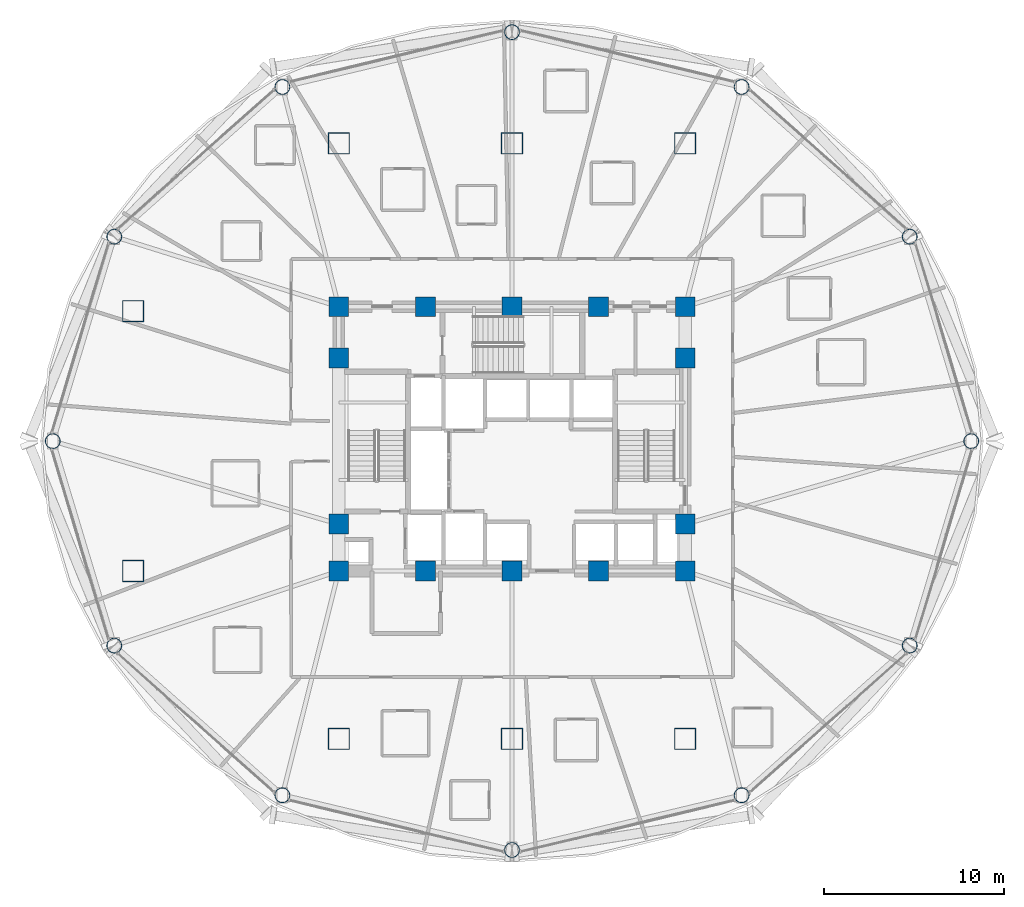
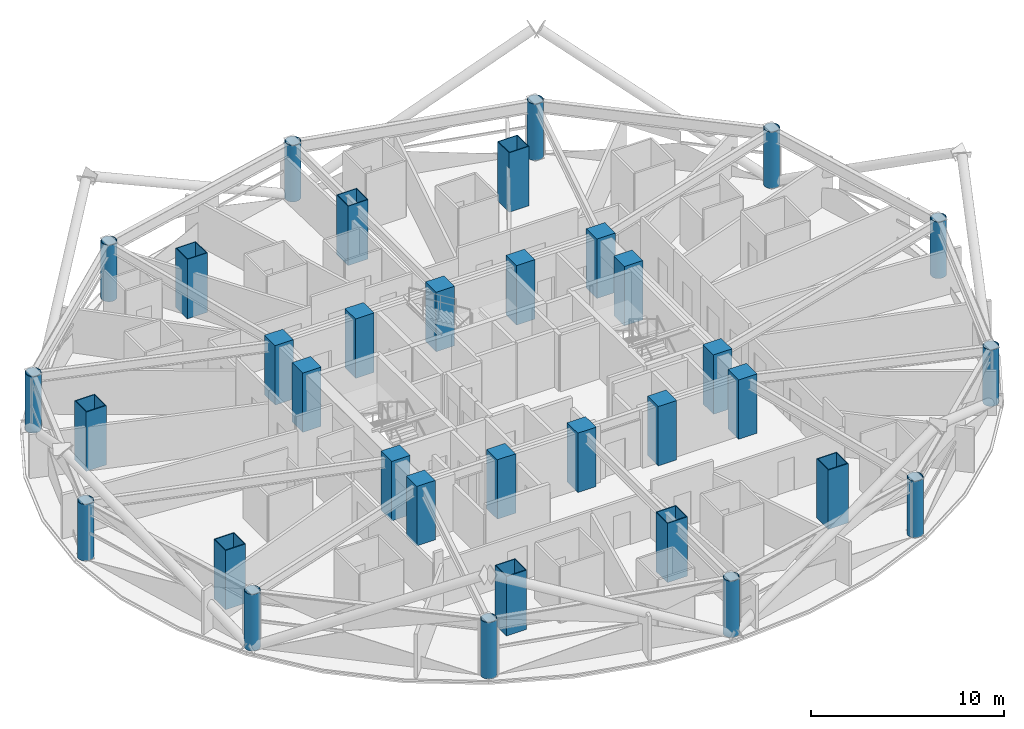
# One storey, part 1 of 31: 34 columns.
"""IFC4 building model written with IfcOpenShell, lengths in metres."""

from ifc_helpers import new_model, si_unit, direction, frame, origin, origin_2d, place, context, subcontext, project, spatial, rectangle, hollow_rectangle, hollow_circle, extrude, material, material_profile, profile_set, type_object, element, save


model = new_model("IFC4")

# Units and contexts
model_context = context("Model", 3, precision=1e-05, world=origin(), true_north=direction((0.0, 1.0)))
body_context = subcontext(model_context, "Body", "Model", "MODEL_VIEW")
ifc_project = project(units=[si_unit("LENGTHUNIT", "METRE"), si_unit("AREAUNIT", "SQUARE_METRE"), si_unit("VOLUMEUNIT", "CUBIC_METRE"), si_unit("PLANEANGLEUNIT", "RADIAN"), si_unit("MASSUNIT", "GRAM", prefix="KILO")], contexts=[model_context])

# Site, building, storey
site_placement = place(None, origin())
site = spatial("IfcSite", under=ifc_project, at=site_placement, CompositionType="ELEMENT")
building_placement = place(site_placement, origin())
building = spatial("IfcBuilding", under=site, at=building_placement, Name="Vantalir Tower", CompositionType="ELEMENT")
storey_placement = place(building_placement, frame((0.0, 0.0, 34.5)))
storey = spatial("IfcBuildingStorey", under=building, at=storey_placement, Name="L07", CompositionType="ELEMENT", Elevation=34.5)

# Columns
ifc_material_1 = material(Name="Concrete C60/75", Category="concrete")
ifc_material_profile_1 = material_profile(ifc_material_1, rectangle(XDim=1.10009765625, YDim=1.10009765625, at=origin_2d()), Name="Concrete C60/75")
ifc_profile_set_1 = profile_set([ifc_material_profile_1], Name="Concrete C60/75")
column_type_1 = type_object("IfcColumnType", Name="COL-CC-1100", PredefinedType="COLUMN", material=ifc_profile_set_1)
for number, where, z_axis, x_axis, name in (
    (1, (21.89990234375, 17.800048828125, 0.0), (0.0, 0.0, 1.0), (1.0, 0.0, 0.0), "L07 Core Column CC01"),
    (2, (26.699951171875, 17.800048828125, 0.0), (0.0, 0.0, 1.0), (1.0, 0.0, 0.0), "L07 Core Column CC02"),
    (3, (31.5, 17.800048828125, 0.0), (0.0, 0.0, 1.0), (1.0, 0.0, 0.0), "L07 Core Column CC03"),
    (4, (36.300048828125, 17.800048828125, 0.0), (0.0, 0.0, 1.0), (1.0, 0.0, 0.0), "L07 Core Column CC04"),
    (5, (41.10009765625, 17.800048828125, 0.0), (0.0, 0.0, 1.0), (1.0, 0.0, 0.0), "L07 Core Column CC05"),
    (6, (21.89990234375, 20.39990234375, 0.0), (0.0, 0.0, 1.0), (1.0, 0.0, 0.0), "L07 Core Column CC06"),
    (7, (21.89990234375, 29.60009765625, 0.0), (0.0, 0.0, 1.0), (1.0, 0.0, 0.0), "L07 Core Column CC07"),
    (8, (41.10009765625, 20.39990234375, 0.0), (0.0, 0.0, 1.0), (1.0, 0.0, 0.0), "L07 Core Column CC08"),
    (9, (41.10009765625, 29.60009765625, 0.0), (0.0, 0.0, 1.0), (1.0, 0.0, 0.0), "L07 Core Column CC09"),
    (10, (21.89990234375, 32.449951171875, 0.0), (0.0, 0.0, 1.0), (1.0, 0.0, 0.0), "L07 Core Column CC10"),
    (11, (26.699951171875, 32.449951171875, 0.0), (0.0, 0.0, 1.0), (1.0, 0.0, 0.0), "L07 Core Column CC11"),
    (12, (31.5, 32.449951171875, 0.0), (0.0, 0.0, 1.0), (1.0, 0.0, 0.0), "L07 Core Column CC12"),
    (13, (36.300048828125, 32.449951171875, 0.0), (0.0, 0.0, 1.0), (1.0, 0.0, 0.0), "L07 Core Column CC13"),
    (14, (41.10009765625, 32.449951171875, 0.0), (0.0, 0.0, 1.0), (1.0, 0.0, 0.0), "L07 Core Column CC14"),
):
    element("IfcColumn", number, at=place(storey_placement, frame(where, z_axis=z_axis, x_axis=x_axis)), inside=storey, type_object=column_type_1, Name=name, PredefinedType="COLUMN", context=body_context, shape_type="SweptSolid", body=[
        extrude(rectangle(XDim=1.10009765625, YDim=1.10009765625, at=origin_2d()), origin(), (0.0, 0.0, 1.0), 3.75),
    ])
ifc_material_2 = material(Name="Steel S460", Category="steel")
ifc_material_profile_2 = material_profile(ifc_material_2, hollow_rectangle(XDim=1.199951171875, YDim=1.199951171875, WallThickness=0.044921875, at=origin_2d()), Name="Steel S460")
ifc_profile_set_2 = profile_set([ifc_material_profile_2], Name="Steel S460")
column_type_2 = type_object("IfcColumnType", Name="COL-MC-1200", PredefinedType="COLUMN", material=ifc_profile_set_2)
for number, where, z_axis, x_axis, name in (
    (15, (21.89990234375, 8.5, 0.0), (0.0, 0.0, 1.0), (1.0, 0.0, 0.0), "L07 S460 Mega-Column MC01"),
    (16, (31.5, 8.5, 0.0), (0.0, 0.0, 1.0), (1.0, 0.0, 0.0), "L07 S460 Mega-Column MC02"),
    (17, (41.10009765625, 8.5, 0.0), (0.0, 0.0, 1.0), (1.0, 0.0, 0.0), "L07 S460 Mega-Column MC03"),
    (18, (10.5, 17.800048828125, 0.0), (0.0, 0.0, 1.0), (1.0, 0.0, 0.0), "L07 S460 Mega-Column MC04"),
    (19, (10.5, 32.199951171875, 0.0), (0.0, 0.0, 1.0), (1.0, 0.0, 0.0), "L07 S460 Mega-Column MC05"),
    (20, (21.89990234375, 41.5, 0.0), (0.0, 0.0, 1.0), (1.0, 0.0, 0.0), "L07 S460 Mega-Column MC06"),
    (21, (31.5, 41.5, 0.0), (0.0, 0.0, 1.0), (1.0, 0.0, 0.0), "L07 S460 Mega-Column MC07"),
    (22, (41.10009765625, 41.5, 0.0), (0.0, 0.0, 1.0), (1.0, 0.0, 0.0), "L07 S460 Mega-Column MC08"),
):
    element("IfcColumn", number, at=place(storey_placement, frame(where, z_axis=z_axis, x_axis=x_axis)), inside=storey, type_object=column_type_2, Name=name, PredefinedType="COLUMN", context=body_context, shape_type="SweptSolid", body=[
        extrude(hollow_rectangle(XDim=1.199951171875, YDim=1.199951171875, WallThickness=0.044921875, at=origin_2d()), origin(), (0.0, 0.0, 1.0), 3.75),
    ])
ifc_material_profile_3 = material_profile(ifc_material_2, hollow_circle(Radius=0.425048828125, WallThickness=0.0400390625, at=origin_2d()), Name="Steel S460")
ifc_profile_set_3 = profile_set([ifc_material_profile_3], Name="Steel S460")
column_type_3 = type_object("IfcColumnType", Name="COL-RC-850", PredefinedType="COLUMN", material=ifc_profile_set_3)
for number, where, z_axis, x_axis, name in (
    (23, (56.949951171875, 25.0, 0.0), (0.0, 0.0, 1.0), (1.0, 0.0, 0.0), "L07 Perimeter Ring Column RC01"),
    (24, (53.5400390625, 36.33203125, 0.0), (0.0, 0.0, 1.0), (1.0, 0.0, 0.0), "L07 Perimeter Ring Column RC02"),
    (25, (44.22509765625, 44.6279296875, 0.0), (0.0, 0.0, 1.0), (1.0, 0.0, 0.0), "L07 Perimeter Ring Column RC03"),
    (26, (31.5, 47.6640625, 0.0), (0.0, 0.0, 1.0), (1.0, 0.0, 0.0), "L07 Perimeter Ring Column RC04"),
    (27, (18.77490234375, 44.6279296875, 0.0), (0.0, 0.0, 1.0), (1.0, 0.0, 0.0), "L07 Perimeter Ring Column RC05"),
    (28, (9.4599609375, 36.33203125, 0.0), (0.0, 0.0, 1.0), (1.0, 0.0, 0.0), "L07 Perimeter Ring Column RC06"),
    (29, (6.050048828125, 25.0, 0.0), (0.0, 0.0, 1.0), (1.0, 0.0, 0.0), "L07 Perimeter Ring Column RC07"),
    (30, (9.4599609375, 13.66796875, 0.0), (0.0, 0.0, 1.0), (1.0, 0.0, 0.0), "L07 Perimeter Ring Column RC08"),
    (31, (18.77490234375, 5.3720703125, 0.0), (0.0, 0.0, 1.0), (1.0, 0.0, 0.0), "L07 Perimeter Ring Column RC09"),
    (32, (31.5, 2.3359375, 0.0), (0.0, 0.0, 1.0), (1.0, 0.0, 0.0), "L07 Perimeter Ring Column RC10"),
    (33, (44.22509765625, 5.3720703125, 0.0), (0.0, 0.0, 1.0), (1.0, 0.0, 0.0), "L07 Perimeter Ring Column RC11"),
    (34, (53.5400390625, 13.66796875, 0.0), (0.0, 0.0, 1.0), (1.0, 0.0, 0.0), "L07 Perimeter Ring Column RC12"),
):
    element("IfcColumn", number, at=place(storey_placement, frame(where, z_axis=z_axis, x_axis=x_axis)), inside=storey, type_object=column_type_3, Name=name, PredefinedType="COLUMN", context=body_context, shape_type="SweptSolid", body=[
        extrude(hollow_circle(Radius=0.425048828125, WallThickness=0.0400390625, at=origin_2d()), origin(), (0.0, 0.0, 1.0), 3.570068359375),
    ])

save(model, "model.ifc")
